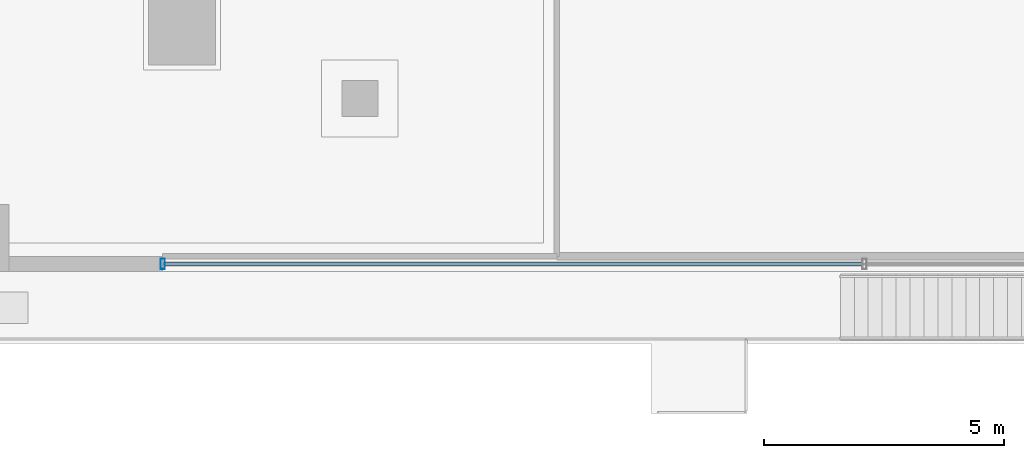
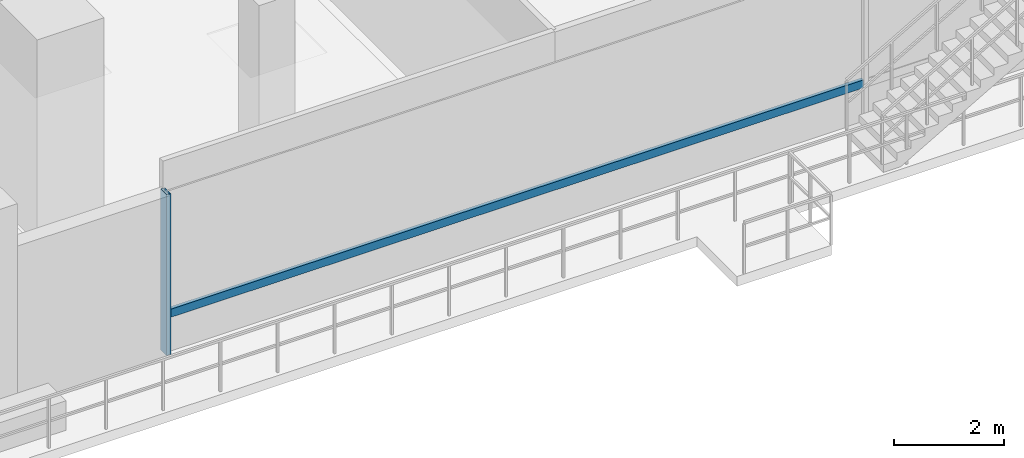
# One storey, part 2 of 24: 2 members, 1 element without a shape of its own.
"""IFC4 building model written with IfcOpenShell, lengths in metres."""

import ifcopenshell
import ifcopenshell.guid

model = None  # the IFC model being written
_history = None  # IfcOwnerHistory: only IFC2X3 demands one
_inside = {}  # id of a spatial element -> (the spatial element, [elements in it])
_under = {}  # id of a project, library or spatial element -> (it, [spatial elements below it])
_declared = {}  # id of a project -> (the project, [libraries it declares])
_typed = {}  # id of a type object -> (the type object, [elements of that type])
_made_of = {}  # id of a material, layer set ... -> (it, [elements and type objects made of it])


def new_model(schema):
    """Start an empty IFC model of exactly this schema.

    Asked for "IFC4X3", IfcOpenShell would pick the latest addendum, in which some entities
    have other attributes; the version numbers below select the first issue.
    IFC2X3 requires an IfcOwnerHistory on every rooted entity: one is made here for all.
    """
    global model, _history
    if schema == "IFC4X3":
        model = ifcopenshell.file(schema_version=(4, 3, 0, 0))
    else:
        model = ifcopenshell.file(schema=schema)
    _inside.clear()
    _under.clear()
    _declared.clear()
    _typed.clear()
    _made_of.clear()
    _history = None
    if model.schema == "IFC2X3":
        org = make("IfcOrganization", Name="unknown")
        user = make(
            "IfcPersonAndOrganization",
            ThePerson=make("IfcPerson", FamilyName="unknown"),
            TheOrganization=org,
        )
        app = make(
            "IfcApplication",
            ApplicationDeveloper=org,
            Version="unknown",
            ApplicationFullName="unknown",
            ApplicationIdentifier="unknown",
        )
        _history = make(
            "IfcOwnerHistory",
            OwningUser=user,
            OwningApplication=app,
            ChangeAction="ADDED",
            CreationDate=0,
        )
    return model


def make(cls, **values):
    """One entity of the class cls with the attributes given. An attribute that is None is left unset."""
    return model.create_entity(
        cls, **{name: value for name, value in values.items() if value is not None}
    )


def rooted(cls, **values):
    """An entity with a GlobalId (a new one), such as an element, a storey or a relation."""
    return make(cls, GlobalId=ifcopenshell.guid.new(), OwnerHistory=_history, **values)


def si_unit(unit_type, name, prefix=None):
    """IfcSIUnit, for example si_unit("LENGTHUNIT", "METRE", prefix="MILLI")."""
    return make("IfcSIUnit", UnitType=unit_type, Prefix=prefix, Name=name)


def assignment(units):
    """IfcUnitAssignment: the units of a project."""
    return None if units is None else make("IfcUnitAssignment", Units=units)


def point(xyz):
    """IfcCartesianPoint."""
    return None if xyz is None else make("IfcCartesianPoint", Coordinates=xyz)


def direction(xyz):
    """IfcDirection."""
    return None if xyz is None else make("IfcDirection", DirectionRatios=xyz)


def frame(location, z_axis=None, x_axis=None):
    """IfcAxis2Placement3D, a coordinate frame: its origin and axes. An axis left out is left unset."""
    return make(
        "IfcAxis2Placement3D",
        Location=point(location),
        Axis=direction(z_axis),
        RefDirection=direction(x_axis),
    )


def frame_2d(location, x_axis=None):
    """IfcAxis2Placement2D, a coordinate frame in the plane: its origin and x axis."""
    return make(
        "IfcAxis2Placement2D", Location=point(location), RefDirection=direction(x_axis)
    )


def origin():
    """The frame at (0, 0, 0) with its axes left unset."""
    return frame((0.0, 0.0, 0.0))


def origin_2d():
    """The frame at (0, 0) in the plane with its x axis left unset."""
    return frame_2d((0.0, 0.0))


def place(relative_to, where):
    """IfcLocalPlacement: puts the frame where relative to a parent placement (None: the world)."""
    return make(
        "IfcLocalPlacement", PlacementRelTo=relative_to, RelativePlacement=where
    )


def context(
    kind, dimensions, precision=None, world=None, true_north=None, identifier=None
):
    """IfcGeometricRepresentationContext, for example the 3D "Model" context."""
    return make(
        "IfcGeometricRepresentationContext",
        ContextIdentifier=identifier,
        ContextType=kind,
        CoordinateSpaceDimension=dimensions,
        Precision=precision,
        WorldCoordinateSystem=world,
        TrueNorth=true_north,
    )


def subcontext(parent, identifier, kind, view, scale=None):
    """IfcGeometricRepresentationSubContext, for example "Body" below "Model"."""
    return make(
        "IfcGeometricRepresentationSubContext",
        ContextIdentifier=identifier,
        ContextType=kind,
        ParentContext=parent,
        TargetScale=scale,
        TargetView=view,
    )


def project(units=None, contexts=None):
    """IfcProject with its units and contexts."""
    return rooted(
        "IfcProject",
        Name="project",
        RepresentationContexts=contexts,
        UnitsInContext=assignment(units),
    )


def spatial(cls, under=None, at=None, **own):
    """A site, building, storey or space (cls), placed at a placement, below another one or the project."""
    s = rooted(cls, ObjectPlacement=at, **own)
    if under is not None:
        _under.setdefault(under.id(), (under, []))[1].append(s)
    return s


def profile(cls, at=None, kind="AREA", **sizes):
    """A parametric profile (cls). Its sizes go by their IFC names, for example OverallWidth=200.0."""
    return make(cls, ProfileType=kind, Position=at, **sizes)


def hollow_rectangle(**sizes):
    """IfcRectangleHollowProfileDef."""
    return profile("IfcRectangleHollowProfileDef", **sizes)


def extrude(swept, where, along, depth):
    """IfcExtrudedAreaSolid: the profile swept, set in the frame where, extruded along a direction by depth."""
    return make(
        "IfcExtrudedAreaSolid",
        SweptArea=swept,
        Position=where,
        ExtrudedDirection=direction(along),
        Depth=depth,
    )


def shape(context_of_items, identifier, shape_type, items):
    """IfcShapeRepresentation: the items that make up one representation, for example the "Body"."""
    return make(
        "IfcShapeRepresentation",
        ContextOfItems=context_of_items,
        RepresentationIdentifier=identifier,
        RepresentationType=shape_type,
        Items=items,
    )


def material(Name=None, Category=None):
    """IfcMaterial."""
    return make("IfcMaterial", Name=Name, Category=Category)


def material_profile(
    of_material, cross_section, Name=None, Category=None, Priority=None
):
    """IfcMaterialProfile: a cross section and its material."""
    return make(
        "IfcMaterialProfile",
        Name=Name,
        Material=of_material,
        Profile=cross_section,
        Priority=Priority,
        Category=Category,
    )


def profile_set(profiles, Name=None, composite=None):
    """IfcMaterialProfileSet."""
    return make(
        "IfcMaterialProfileSet",
        Name=Name,
        MaterialProfiles=profiles,
        CompositeProfile=composite,
    )


def made_of(thing, what):
    """Note that an element or type object is made of a material, layer set ...; save() writes the relation."""
    if what is not None:
        _made_of.setdefault(what.id(), (what, []))[1].append(thing)
    return thing


def type_object(cls, material=None, **own):
    """A type object (cls), such as IfcWallType, which elements share."""
    return made_of(rooted(cls, **own), material)


def element(
    cls,
    number,
    at=None,
    inside=None,
    cuts=None,
    type_object=None,
    material=None,
    context=None,
    identifier="Body",
    shape_type=None,
    held_by="IfcProductDefinitionShape",
    body=None,
    shapes=None,
    **own,
):
    """One element of the class cls, such as IfcWall. Its Tag is "e" and its number.

    at: its placement. inside: the storey or other place that contains it. cuts: it is an
    opening in that element (IfcRelVoidsElement). A single representation is given by context,
    identifier, shape_type and body (its items); several are given by shapes. held_by: the class
    of the entity that holds the representations. save() writes the other relations.
    """
    e = rooted(cls, Tag="e%d" % number, ObjectPlacement=at, **own)
    if body is not None:
        shapes = [shape(context, identifier, shape_type, body)]
    if shapes is not None:
        e.Representation = make(held_by, Representations=shapes)
    if inside is not None:
        _inside.setdefault(inside.id(), (inside, []))[1].append(e)
    if cuts is not None:
        rooted(
            "IfcRelVoidsElement", RelatingBuildingElement=cuts, RelatedOpeningElement=e
        )
    if type_object is not None:
        _typed.setdefault(type_object.id(), (type_object, []))[1].append(e)
    return made_of(e, material)


def aggregate(whole, parts):
    """IfcRelAggregates: a whole, such as a stair, and the parts it consists of."""
    return rooted("IfcRelAggregates", RelatingObject=whole, RelatedObjects=parts)


def save(model, path):
    """Write the relations noted so far, then the file.

    IfcRelAggregates (storeys below a building ...), IfcRelContainedInSpatialStructure (elements
    in a storey), IfcRelDefinesByType, IfcRelAssociatesMaterial and IfcRelDeclares: one each for
    every whole, place, type object, material and project.
    """
    for whole, parts in _under.values():
        aggregate(whole, parts)
    for where, things in _inside.values():
        rooted(
            "IfcRelContainedInSpatialStructure",
            RelatedElements=things,
            RelatingStructure=where,
        )
    for kind, things in _typed.values():
        rooted("IfcRelDefinesByType", RelatedObjects=things, RelatingType=kind)
    for what, things in _made_of.values():
        rooted("IfcRelAssociatesMaterial", RelatedObjects=things, RelatingMaterial=what)
    for by, libraries in _declared.values():
        rooted("IfcRelDeclares", RelatingContext=by, RelatedDefinitions=libraries)
    model.write(path)


model = new_model("IFC4")

# Units and contexts
model_context = context("Model", 3, precision=1e-05, world=origin(), true_north=direction((0.0, 1.0)))
body_context = subcontext(model_context, "Body", "Model", "MODEL_VIEW")
ifc_project = project(units=[si_unit("LENGTHUNIT", "METRE"), si_unit("AREAUNIT", "SQUARE_METRE"), si_unit("VOLUMEUNIT", "CUBIC_METRE"), si_unit("PLANEANGLEUNIT", "RADIAN"), si_unit("MASSUNIT", "GRAM", prefix="KILO")], contexts=[model_context])

# Site, building, storey
site_placement = place(None, origin())
site = spatial("IfcSite", under=ifc_project, at=site_placement, CompositionType="ELEMENT")
building_placement = place(site_placement, origin())
building = spatial("IfcBuilding", under=site, at=building_placement, Name="Thornwick Lancets Civic Towers", CompositionType="ELEMENT")
storey_placement = place(building_placement, frame((0.0, 0.0, 14.10009765625)))
storey = spatial("IfcBuildingStorey", under=building, at=storey_placement, Name="L03", CompositionType="ELEMENT", Elevation=14.10009765625)

# Curtain wall, members
ifc_material_1 = material(Name="Terracotta-trimmed cascading podium ribbon curtain wall", Category="masonry")
curtain_wall_type = type_object("IfcCurtainWallType", Name="CW_SYS_02", PredefinedType="NOTDEFINED", material=ifc_material_1)
curtain_wall_placement = place(storey_placement, origin())
curtain_wall = element("IfcCurtainWall", 1, at=curtain_wall_placement, inside=storey, type_object=curtain_wall_type, Name="L03 Curtain Wall CW-L03-POD-SC", PredefinedType="NOTDEFINED")
ifc_material_2 = material(Name="Thermally broken bronze aluminium S355", Category="steel")
ifc_material_profile_1 = material_profile(ifc_material_2, hollow_rectangle(XDim=0.090087890625, YDim=0.219970703125, WallThickness=0.00634765625, at=origin_2d()), Name="RHS 220x90x6.3")
ifc_profile_set_1 = profile_set([ifc_material_profile_1], Name="Thermally broken bronze aluminium S355")
member_type_1 = type_object("IfcMemberType", Name="CW_MUL_220", PredefinedType="MULLION", material=ifc_profile_set_1)
member_1_placement = place(storey_placement, frame((42.39990234375, 9.159912109375, 0.0), z_axis=(0.0, 0.0, 1.0), x_axis=(1.0, 0.0, 0.0)))
member_1 = element("IfcMember", 2, at=member_1_placement, type_object=member_type_1, Name="CW-L03-POD-SC Mullion 0", PredefinedType="MULLION", context=body_context, shape_type="SweptSolid", body=[
    extrude(hollow_rectangle(XDim=0.090087890625, YDim=0.219970703125, WallThickness=0.00634765625, at=origin_2d()), origin(), (0.0, 0.0, 1.0), 3.559814453125),
])
ifc_material_profile_2 = material_profile(ifc_material_2, hollow_rectangle(XDim=0.074951171875, YDim=0.179931640625, WallThickness=0.006103515625, at=origin_2d()), Name="RHS 180x75x6")
ifc_profile_set_2 = profile_set([ifc_material_profile_2], Name="Thermally broken bronze aluminium S355")
member_type_2 = type_object("IfcMemberType", Name="CW_TRN_180", PredefinedType="USERDEFINED", material=ifc_profile_set_2)
member_2_placement = place(storey_placement, frame((42.419921875, 9.159912109375, 0.849853515625), z_axis=(1.0, 0.0, 0.0), x_axis=(0.0, 1.0, 0.0)))
member_2 = element("IfcMember", 3, at=member_2_placement, type_object=member_type_2, Name="CW-L03-POD-SC Transom 0", ObjectType="TRANSOM", PredefinedType="USERDEFINED", context=body_context, shape_type="SweptSolid", body=[
    extrude(hollow_rectangle(XDim=0.074951171875, YDim=0.179931640625, WallThickness=0.006103515625, at=origin_2d()), origin(), (0.0, 0.0, 1.0), 14.56005859375),
])
aggregate(curtain_wall, [member_1, member_2])

save(model, "model.ifc")
